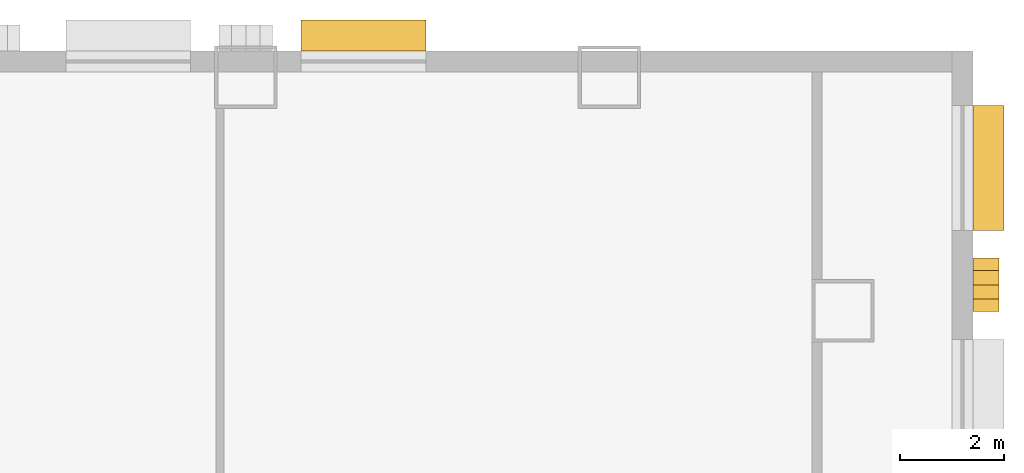
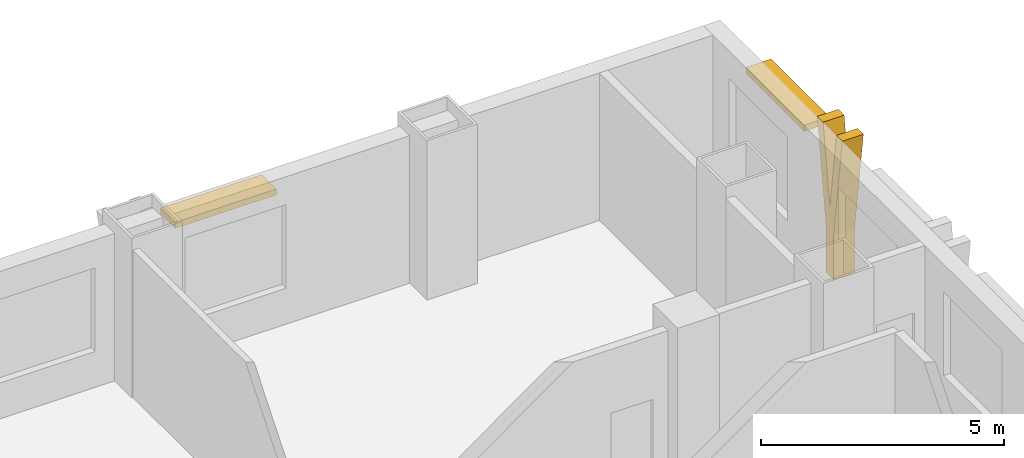
# One storey, part 26 of 26: 3 shading devices.
"""IFC4 building model written with IfcOpenShell, lengths in metres."""

from ifc_helpers import new_model, si_unit, direction, frame, origin, origin_2d, place, context, subcontext, project, spatial, polyline, rectangle, outline, extrude, material, layer, layer_set, type_object, element, save


model = new_model("IFC4")

# Units and contexts
model_context = context("Model", 3, precision=1e-05, world=origin(), true_north=direction((0.0, 1.0)))
body_context = subcontext(model_context, "Body", "Model", "MODEL_VIEW")
ifc_project = project(units=[si_unit("LENGTHUNIT", "METRE"), si_unit("AREAUNIT", "SQUARE_METRE"), si_unit("VOLUMEUNIT", "CUBIC_METRE"), si_unit("PLANEANGLEUNIT", "RADIAN"), si_unit("MASSUNIT", "GRAM", prefix="KILO")], contexts=[model_context])

# Site, building, storey
site_placement = place(None, origin())
site = spatial("IfcSite", under=ifc_project, at=site_placement, CompositionType="ELEMENT")
building_placement = place(site_placement, origin())
building = spatial("IfcBuilding", under=site, at=building_placement, Name="Vidyagriha Tower", CompositionType="ELEMENT")
storey_placement = place(building_placement, frame((0.0, 0.0, 6.0)))
storey = spatial("IfcBuildingStorey", under=building, at=storey_placement, Name="L01", CompositionType="ELEMENT", Elevation=6.0)

# Shading devices
ifc_material_1 = material(Name="Precast concrete C40/50 with brick facing", Category="concrete")
ifc_layer_1 = layer(ifc_material_1, 0.14990234375)
ifc_layer_set_1 = layer_set([ifc_layer_1], Name="Precast concrete C40/50 with brick facing")
shading_device_type_1 = type_object("IfcShadingDeviceType", Name="Brick chhajja window hood", PredefinedType="AWNING", material=ifc_layer_set_1)
for number, where, z_axis, x_axis, name in (
    (1, (40.300048828125, 17.75, 3.0), (0.0, 0.0, 1.0), (0.0, 1.0, 0.0), "Window hood L01 R01.19"),
    (2, (28.264892578125, 20.300048828125, 3.0), (0.0, 0.0, 1.0), (-1.0, 0.0, 0.0), "Window hood L01 R02.8"),
):
    element("IfcShadingDevice", number, at=place(storey_placement, frame(where, z_axis=z_axis, x_axis=x_axis)), inside=storey, type_object=shading_device_type_1, Name=name, PredefinedType="AWNING", context=body_context, shape_type="SweptSolid", body=[
        extrude(rectangle(XDim=2.39990234375, YDim=0.60009765625, at=origin_2d()), origin(), (0.0, 0.0, 1.0), 0.14990234375),
    ])
ifc_material_2 = material(Name="Precast concrete C40/50 with buff brick facing", Category="concrete")
ifc_layer_2 = layer(ifc_material_2, 0.300048828125)
ifc_layer_set_2 = layer_set([ifc_layer_2], Name="Precast concrete C40/50 with buff brick facing")
shading_device_type_2 = type_object("IfcShadingDeviceType", Name="Brick-faced podium blade forking 8 degrees", PredefinedType="USERDEFINED", material=ifc_layer_set_2)
shading_device_placement = place(storey_placement, frame((40.25, 14.984619140625, 0.0), z_axis=(0.0, 0.0, 1.0), x_axis=(0.0, 1.0, 0.0)))
element("IfcShadingDevice", 3, at=shading_device_placement, inside=storey, type_object=shading_device_type_2, Name="Podium blade L01 R01.6550", ObjectType="BLADE FIN", PredefinedType="USERDEFINED", context=body_context, shape_type="SweptSolid", body=[
    extrude(outline(polyline([(0.665283203125, 0.0), (0.665283203125, 1.10009765625), (1.03076171875, 3.699951171875), (0.790771484375, 3.699951171875), (0.515380859375, 1.740478515625), (0.239990234375, 3.699951171875), (0.0, 3.699951171875), (0.365478515625, 1.10009765625), (0.365478515625, 0.0), (0.665283203125, 0.0)])), frame((0.0, 0.25, 0.0), z_axis=(0.0, -1.0, 0.0), x_axis=(1.0, 0.0, 0.0)), (0.0, 0.0, 1.0), 0.5),
])

save(model, "model.ifc")
